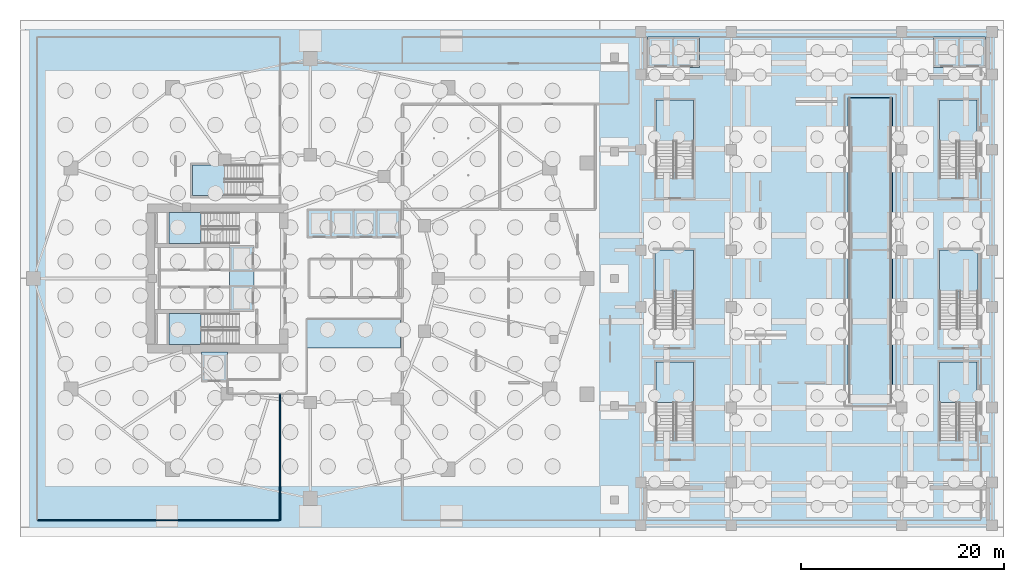
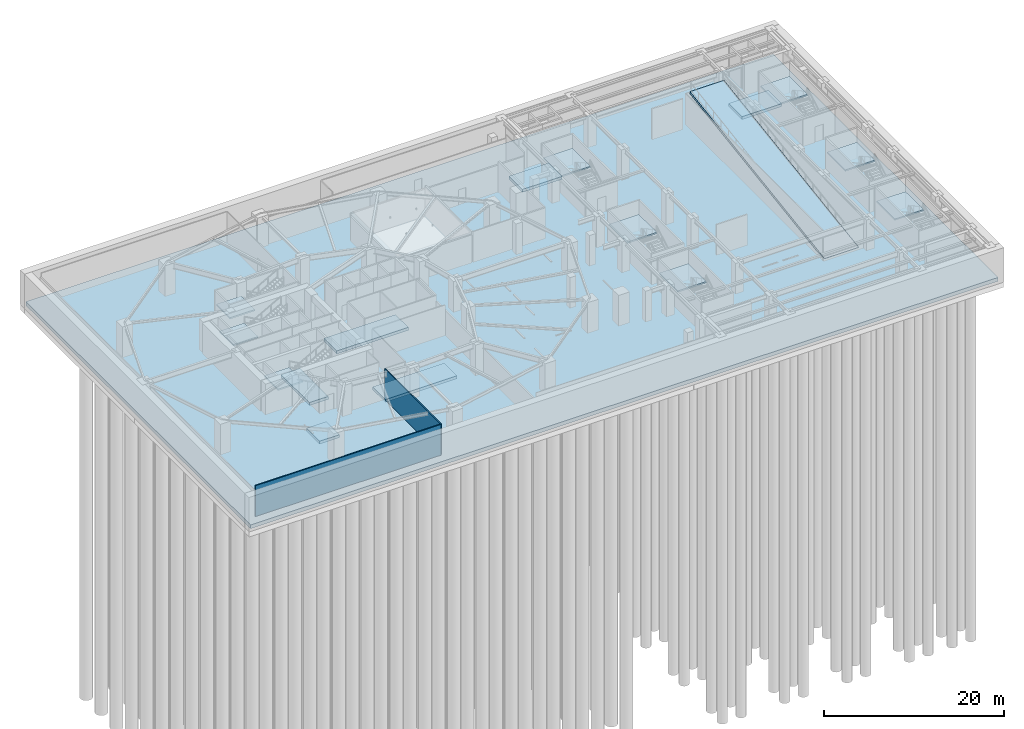
# One storey, part 5 of 19: 17 slabs, 2 walls, 9 elements without a shape of their own.
"""IFC4 building model written with IfcOpenShell, lengths in metres."""

from ifc_helpers import new_model, si_unit, direction, frame, frame_2d, origin, place, context, subcontext, project, spatial, polyline, rectangle, outline, extrude, material, layer, layer_set, type_object, element, aggregate, save


model = new_model("IFC4")

# Units and contexts
model_context = context("Model", 3, precision=1e-05, world=origin(), true_north=direction((0.0, 1.0)))
body_context = subcontext(model_context, "Body", "Model", "MODEL_VIEW")
ifc_project = project(units=[si_unit("LENGTHUNIT", "METRE"), si_unit("AREAUNIT", "SQUARE_METRE"), si_unit("VOLUMEUNIT", "CUBIC_METRE"), si_unit("PLANEANGLEUNIT", "RADIAN"), si_unit("MASSUNIT", "GRAM", prefix="KILO")], contexts=[model_context])

# Site, building, storey
site_placement = place(None, origin())
site = spatial("IfcSite", under=ifc_project, at=site_placement, CompositionType="ELEMENT")
building_placement = place(site_placement, origin())
building = spatial("IfcBuilding", under=site, at=building_placement, Name="Kolvaren Gate Tower and Convention Centre", CompositionType="ELEMENT")
storey_placement = place(building_placement, frame((0.0, 0.0, -13.5)))
storey = spatial("IfcBuildingStorey", under=building, at=storey_placement, Name="B3", CompositionType="ELEMENT", Elevation=-13.5)

# Slab
ifc_material_1 = material(Name="Concrete C50/60", Category="concrete")
ifc_layer_1 = layer(ifc_material_1, 0.5)
ifc_layer_set_1 = layer_set([ifc_layer_1], Name="Concrete C50/60")
slab_type_1 = type_object("IfcSlabType", Name="STR-SL-BASE-500", PredefinedType="BASESLAB", material=ifc_layer_set_1)
slab_1_placement = place(storey_placement, frame((0.0, 0.0, -0.5)))
element("IfcSlab", 1, at=slab_1_placement, inside=storey, type_object=slab_type_1, Name="Basement B3 Structural Slab", PredefinedType="BASESLAB", context=body_context, shape_type="SweptSolid", body=[
    extrude(outline(polyline([(2.0, 2.0), (98.0, 2.0), (98.0, 52.0), (2.0, 52.0), (2.0, 2.0)]), holes=[polyline([(83.10009765625, 14.800048828125), (83.10009765625, 16.820068359375), (87.5, 16.820068359375), (87.5, 14.800048828125), (83.10009765625, 14.800048828125)])]), origin(), (0.0, 0.0, 1.0), 0.5),
])

# Stair, slab
stair_type_1 = type_object("IfcStairType", Name="STR-STAIR-CORE", PredefinedType="HALF_TURN_STAIR", material=ifc_material_1)
stair_1_placement = place(storey_placement, origin())
stair_1 = element("IfcStair", 2, at=stair_1_placement, inside=storey, type_object=stair_type_1, Name="B3 Tower North Exit Stair ST-T1", PredefinedType="HALF_TURN_STAIR")
ifc_layer_2 = layer(ifc_material_1, 0.199951171875)
ifc_layer_set_2 = layer_set([ifc_layer_2], Name="Concrete C50/60")
slab_type_2 = type_object("IfcSlabType", Name="STR-SL-LAND-200", PredefinedType="LANDING", material=ifc_layer_set_2)
slab_2_placement = place(storey_placement, frame((0.0, 0.0, 2.050048828125)))
slab_2 = element("IfcSlab", 3, at=slab_2_placement, type_object=slab_type_2, Name="ST-T1 landing 1", PredefinedType="LANDING", context=body_context, shape_type="SweptSolid", body=[
    extrude(outline(polyline([(19.3798828125, 33.5), (16.199951171875, 33.5), (16.199951171875, 30.4599609375), (19.3798828125, 30.4599609375), (19.3798828125, 33.5)])), origin(), (0.0, 0.0, 1.0), 0.199951171875),
])
aggregate(stair_1, [slab_2])

stair_2_placement = place(storey_placement, origin())
stair_2 = element("IfcStair", 4, at=stair_2_placement, inside=storey, type_object=stair_type_1, Name="B3 Tower South Exit Stair ST-T2", PredefinedType="HALF_TURN_STAIR")
slab_3_placement = place(storey_placement, frame((0.0, 0.0, 2.050048828125)))
slab_3 = element("IfcSlab", 5, at=slab_3_placement, type_object=slab_type_2, Name="ST-T2 landing 1", PredefinedType="LANDING", context=body_context, shape_type="SweptSolid", body=[
    extrude(outline(polyline([(19.3798828125, 23.5400390625), (16.199951171875, 23.5400390625), (16.199951171875, 20.5), (19.3798828125, 20.5), (19.3798828125, 23.5400390625)])), origin(), (0.0, 0.0, 1.0), 0.199951171875),
])
aggregate(stair_2, [slab_3])

stair_3_placement = place(storey_placement, origin())
stair_3 = element("IfcStair", 6, at=stair_3_placement, inside=storey, type_object=stair_type_1, Name="B3 Tower Mid-Zone Exit Stair ST-T3", PredefinedType="HALF_TURN_STAIR")
slab_4_placement = place(storey_placement, frame((0.0, 0.0, 2.050048828125)))
slab_4 = element("IfcSlab", 7, at=slab_4_placement, type_object=slab_type_2, Name="ST-T3 landing 1", PredefinedType="LANDING", context=body_context, shape_type="SweptSolid", body=[
    extrude(outline(polyline([(21.679931640625, 38.199951171875), (18.5, 38.199951171875), (18.5, 35.159912109375), (21.679931640625, 35.159912109375), (21.679931640625, 38.199951171875)])), origin(), (0.0, 0.0, 1.0), 0.199951171875),
])
aggregate(stair_3, [slab_4])

stair_type_2 = type_object("IfcStairType", Name="STR-STAIR-CONV", PredefinedType="HALF_TURN_STAIR", material=ifc_material_1)
stair_4_placement = place(storey_placement, origin())
stair_4 = element("IfcStair", 8, at=stair_4_placement, inside=storey, type_object=stair_type_2, Name="B3 Convention NW Exit Stair ST-C1", PredefinedType="HALF_TURN_STAIR")
slab_5_placement = place(storey_placement, frame((0.0, 0.0, 2.050048828125)))
slab_5 = element("IfcSlab", 9, at=slab_5_placement, type_object=slab_type_2, Name="ST-C1 landing 1", PredefinedType="LANDING", context=body_context, shape_type="SweptSolid", body=[
    extrude(outline(polyline([(67.89990234375, 40.570068359375), (67.89990234375, 44.60009765625), (64.199951171875, 44.60009765625), (64.199951171875, 40.570068359375), (67.89990234375, 40.570068359375)])), origin(), (0.0, 0.0, 1.0), 0.199951171875),
])
aggregate(stair_4, [slab_5])

stair_5_placement = place(storey_placement, origin())
stair_5 = element("IfcStair", 10, at=stair_5_placement, inside=storey, type_object=stair_type_2, Name="B3 Convention SW Exit Stair ST-C2", PredefinedType="HALF_TURN_STAIR")
slab_6_placement = place(storey_placement, frame((0.0, 0.0, 2.050048828125)))
slab_6 = element("IfcSlab", 11, at=slab_6_placement, type_object=slab_type_2, Name="ST-C2 landing 1", PredefinedType="LANDING", context=body_context, shape_type="SweptSolid", body=[
    extrude(outline(polyline([(67.89990234375, 14.77001953125), (67.89990234375, 18.800048828125), (64.199951171875, 18.800048828125), (64.199951171875, 14.77001953125), (67.89990234375, 14.77001953125)])), origin(), (0.0, 0.0, 1.0), 0.199951171875),
])
aggregate(stair_5, [slab_6])

stair_6_placement = place(storey_placement, origin())
stair_6 = element("IfcStair", 12, at=stair_6_placement, inside=storey, type_object=stair_type_2, Name="B3 Convention NE Exit Stair ST-C3", PredefinedType="HALF_TURN_STAIR")
slab_7_placement = place(storey_placement, frame((0.0, 0.0, 2.050048828125)))
slab_7 = element("IfcSlab", 13, at=slab_7_placement, type_object=slab_type_2, Name="ST-C3 landing 1", PredefinedType="LANDING", context=body_context, shape_type="SweptSolid", body=[
    extrude(outline(polyline([(95.800048828125, 40.570068359375), (95.800048828125, 44.60009765625), (92.10009765625, 44.60009765625), (92.10009765625, 40.570068359375), (95.800048828125, 40.570068359375)])), origin(), (0.0, 0.0, 1.0), 0.199951171875),
])
aggregate(stair_6, [slab_7])

stair_7_placement = place(storey_placement, origin())
stair_7 = element("IfcStair", 14, at=stair_7_placement, inside=storey, type_object=stair_type_2, Name="B3 Convention SE Exit Stair ST-C4", PredefinedType="HALF_TURN_STAIR")
slab_8_placement = place(storey_placement, frame((0.0, 0.0, 2.050048828125)))
slab_8 = element("IfcSlab", 15, at=slab_8_placement, type_object=slab_type_2, Name="ST-C4 landing 1", PredefinedType="LANDING", context=body_context, shape_type="SweptSolid", body=[
    extrude(outline(polyline([(95.800048828125, 14.77001953125), (95.800048828125, 18.800048828125), (92.10009765625, 18.800048828125), (92.10009765625, 14.77001953125), (95.800048828125, 14.77001953125)])), origin(), (0.0, 0.0, 1.0), 0.199951171875),
])
aggregate(stair_7, [slab_8])

stair_8_placement = place(storey_placement, origin())
stair_8 = element("IfcStair", 16, at=stair_8_placement, inside=storey, type_object=stair_type_2, Name="B3 Convention West Assembly Stair ST-C5", PredefinedType="HALF_TURN_STAIR")
slab_9_placement = place(storey_placement, frame((0.0, 0.0, 2.050048828125)))
slab_9 = element("IfcSlab", 17, at=slab_9_placement, type_object=slab_type_2, Name="ST-C5 landing 1", PredefinedType="LANDING", context=body_context, shape_type="SweptSolid", body=[
    extrude(outline(polyline([(67.89990234375, 25.77001953125), (67.89990234375, 29.800048828125), (64.10009765625, 29.800048828125), (64.10009765625, 25.77001953125), (67.89990234375, 25.77001953125)])), origin(), (0.0, 0.0, 1.0), 0.199951171875),
])
aggregate(stair_8, [slab_9])

stair_9_placement = place(storey_placement, origin())
stair_9 = element("IfcStair", 18, at=stair_9_placement, inside=storey, type_object=stair_type_2, Name="B3 Convention East Assembly Stair ST-C6", PredefinedType="HALF_TURN_STAIR")
slab_10_placement = place(storey_placement, frame((0.0, 0.0, 2.050048828125)))
slab_10 = element("IfcSlab", 19, at=slab_10_placement, type_object=slab_type_2, Name="ST-C6 landing 1", PredefinedType="LANDING", context=body_context, shape_type="SweptSolid", body=[
    extrude(outline(polyline([(95.89990234375, 25.77001953125), (95.89990234375, 29.800048828125), (92.10009765625, 29.800048828125), (92.10009765625, 25.77001953125), (95.89990234375, 25.77001953125)])), origin(), (0.0, 0.0, 1.0), 0.199951171875),
])
aggregate(stair_9, [slab_10])

# Slabs
ifc_layer_3 = layer(ifc_material_1, 0.39990234375)
ifc_layer_set_3 = layer_set([ifc_layer_3], Name="Concrete C50/60")
slab_type_3 = type_object("IfcSlabType", Name="STR-SL-PIT-400", PredefinedType="BASESLAB", material=ifc_layer_set_3)
slab_11_placement = place(storey_placement, frame((0.0, 0.0, -4.10009765625)))
element("IfcSlab", 20, at=slab_11_placement, inside=storey, type_object=slab_type_3, Name="Lift Pit Base Slab PIT-FF", PredefinedType="BASESLAB", context=body_context, shape_type="SweptSolid", body=[
    extrude(outline(polyline([(22.14990234375, 23.85009765625), (24.60009765625, 23.85009765625), (24.60009765625, 30.14990234375), (22.14990234375, 30.14990234375), (22.14990234375, 23.85009765625)])), origin(), (0.0, 0.0, 1.0), 0.400146484375),
])
slab_12_placement = place(storey_placement, frame((0.0, 0.0, -4.10009765625)))
element("IfcSlab", 21, at=slab_12_placement, inside=storey, type_object=slab_type_3, Name="Lift Pit Base Slab PIT-SV", PredefinedType="BASESLAB", context=body_context, shape_type="SweptSolid", body=[
    extrude(outline(polyline([(19.39990234375, 16.800048828125), (21.949951171875, 16.800048828125), (21.949951171875, 19.75), (19.39990234375, 19.75), (19.39990234375, 16.800048828125)])), origin(), (0.0, 0.0, 1.0), 0.400146484375),
])
slab_13_placement = place(storey_placement, frame((0.0, 0.0, -4.10009765625)))
element("IfcSlab", 22, at=slab_13_placement, inside=storey, type_object=slab_type_3, Name="Lift Pit Base Slab PIT-PL1", PredefinedType="BASESLAB", context=body_context, shape_type="SweptSolid", body=[
    extrude(outline(polyline([(29.800048828125, 31.0), (39.0, 31.0), (39.0, 33.85009765625), (29.800048828125, 33.85009765625), (29.800048828125, 31.0)])), origin(), (0.0, 0.0, 1.0), 0.400146484375),
])
slab_14_placement = place(storey_placement, frame((0.0, 0.0, -4.10009765625)))
element("IfcSlab", 23, at=slab_14_placement, inside=storey, type_object=slab_type_3, Name="Lift Pit Base Slab PIT-PL3", PredefinedType="BASESLAB", context=body_context, shape_type="SweptSolid", body=[
    extrude(outline(polyline([(29.800048828125, 20.14990234375), (39.0, 20.14990234375), (39.0, 23.0), (29.800048828125, 23.0), (29.800048828125, 20.14990234375)])), origin(), (0.0, 0.0, 1.0), 0.400146484375),
])
slab_15_placement = place(storey_placement, frame((0.0, 0.0, -4.10009765625)))
element("IfcSlab", 24, at=slab_15_placement, inside=storey, type_object=slab_type_3, Name="Lift Pit Base Slab PIT-CLW", PredefinedType="BASESLAB", context=body_context, shape_type="SweptSolid", body=[
    extrude(outline(polyline([(63.35009765625, 47.800048828125), (68.449951171875, 47.800048828125), (68.449951171875, 50.800048828125), (63.35009765625, 50.800048828125), (63.35009765625, 47.800048828125)])), origin(), (0.0, 0.0, 1.0), 0.400146484375),
])
slab_16_placement = place(storey_placement, frame((0.0, 0.0, -4.10009765625)))
element("IfcSlab", 25, at=slab_16_placement, inside=storey, type_object=slab_type_3, Name="Lift Pit Base Slab PIT-CLE", PredefinedType="BASESLAB", context=body_context, shape_type="SweptSolid", body=[
    extrude(outline(polyline([(91.550048828125, 47.800048828125), (96.64990234375, 47.800048828125), (96.64990234375, 50.800048828125), (91.550048828125, 50.800048828125), (91.550048828125, 47.800048828125)])), origin(), (0.0, 0.0, 1.0), 0.400146484375),
])
ifc_layer_4 = layer(ifc_material_1, 0.300048828125)
ifc_layer_set_4 = layer_set([ifc_layer_4], Name="Concrete C50/60")
slab_type_4 = type_object("IfcSlabType", Name="STR-SL-VRAMP-300", PredefinedType="USERDEFINED", material=ifc_layer_set_4)
slab_17_placement = place(storey_placement, frame((83.114990234375, 14.81494140625, 0.0), z_axis=(0.0, -0.14848581154, 0.988914538153), x_axis=(1.0, 0.0, 0.0)))
element("IfcSlab", 26, at=slab_17_placement, inside=storey, type_object=slab_type_4, Name="Basement B3 to B2 Car Park Vehicle Ramp Slab R3", ObjectType="VEHICLE_RAMP", PredefinedType="USERDEFINED", context=body_context, shape_type="SweptSolid", body=[
    extrude(outline(polyline([(0.0, 0.0), (4.3701171875, 0.0), (4.3701171875, 30.30592588828414), (0.0, 30.30592588828414), (0.0, 0.0)])), origin(), (0.0, 0.0, -1.0), 0.300048828125),
])

# Walls
ifc_material_2 = material(Name="Fire-Rated Acoustic Gypsum Stud Partition", Category="gypsum")
ifc_layer_5 = layer(ifc_material_2, 0.1201171875)
ifc_layer_set_5 = layer_set([ifc_layer_5], Name="Fire-Rated Acoustic Gypsum Stud Partition")
wall_type = type_object("IfcWallType", Name="ARCH-WL-PART-120", PredefinedType="PARTITIONING", material=ifc_layer_set_5)
wall_1_placement = place(storey_placement, frame((27.14990234375, 3.199951171875, 0.0), z_axis=(0.0, 0.0, 1.0), x_axis=(0.0, 1.0, 0.0)))
element("IfcWall", 27, at=wall_1_placement, inside=storey, type_object=wall_type, Name="Interior Partition WL-B3-INT-016", PredefinedType="PARTITIONING", context=body_context, shape_type="SweptSolid", body=[
    extrude(rectangle(XDim=12.449951171875, YDim=0.1201171875, at=frame_2d((6.22509765625, 0.0))), origin(), (0.0, 0.0, 1.0), 4.179931640625),
])
wall_2_placement = place(storey_placement, frame((3.261962890625, 3.199951171875, 0.0), z_axis=(0.0, 0.0, 1.0), x_axis=(1.0, 0.0, 0.0)))
element("IfcWall", 28, at=wall_2_placement, inside=storey, type_object=wall_type, Name="Interior Partition WL-B3-INT-032", PredefinedType="PARTITIONING", context=body_context, shape_type="SweptSolid", body=[
    extrude(rectangle(XDim=23.825927734375, YDim=0.1201171875, at=frame_2d((11.9130859375, 0.0))), origin(), (0.0, 0.0, 1.0), 4.179931640625),
])

save(model, "model.ifc")
